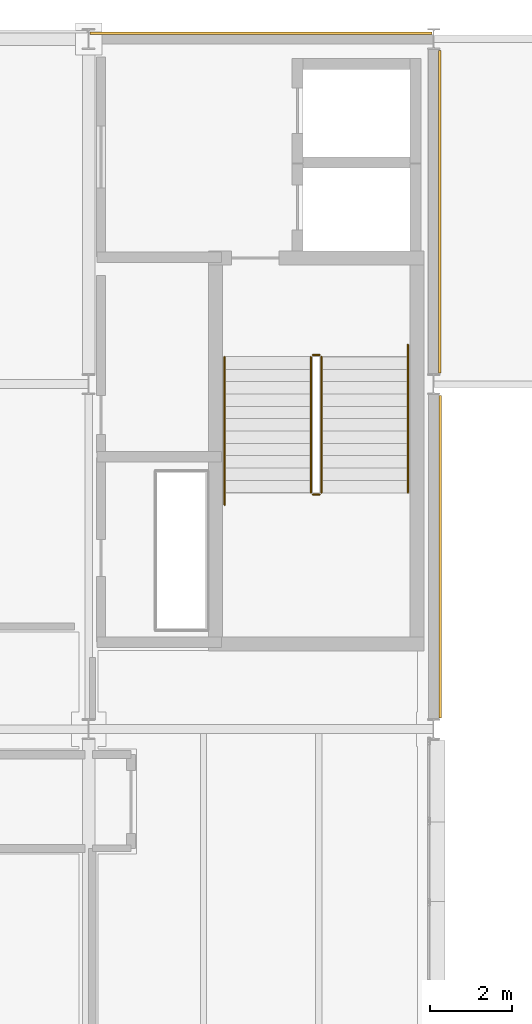
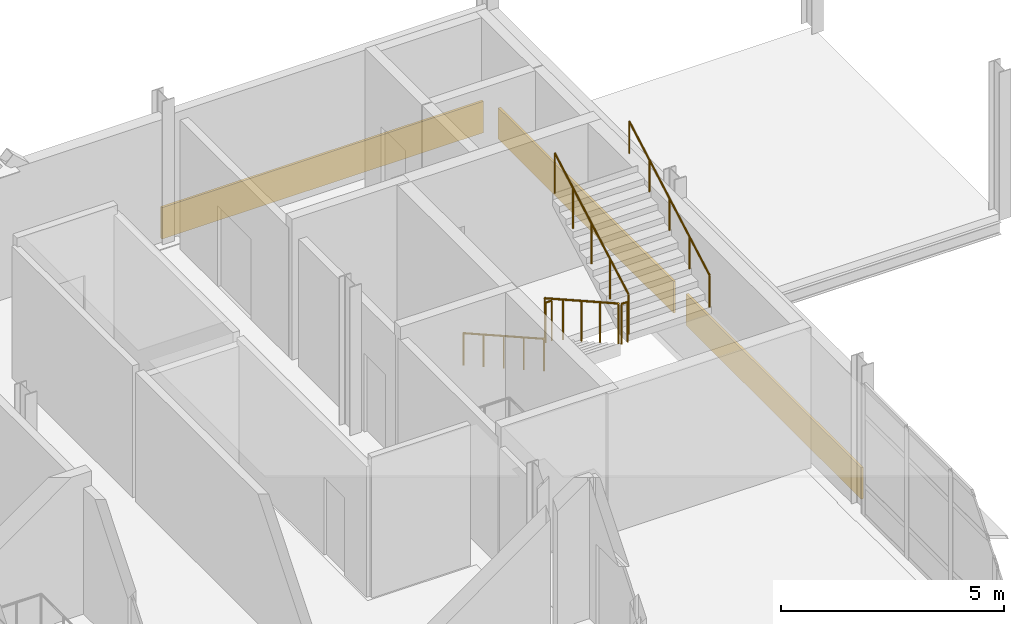
# One storey, part 131 of 131: 6 railings, 3 coverings.
"""IFC4 building model written with IfcOpenShell, lengths in metres."""

from ifc_helpers import new_model, si_unit, direction, frame, origin, origin_2d, place, context, subcontext, project, spatial, rectangle, circle, extrude, material, layer, layer_set, type_object, element, save


model = new_model("IFC4")

# Units and contexts
model_context = context("Model", 3, precision=1e-05, world=origin(), true_north=direction((0.0, 1.0)))
body_context = subcontext(model_context, "Body", "Model", "MODEL_VIEW")
ifc_project = project(units=[si_unit("LENGTHUNIT", "METRE"), si_unit("AREAUNIT", "SQUARE_METRE"), si_unit("VOLUMEUNIT", "CUBIC_METRE"), si_unit("PLANEANGLEUNIT", "RADIAN"), si_unit("MASSUNIT", "GRAM", prefix="KILO")], contexts=[model_context])

# Site, building, storey
site_placement = place(None, origin())
site = spatial("IfcSite", under=ifc_project, at=site_placement, CompositionType="ELEMENT")
building_placement = place(site_placement, origin())
building = spatial("IfcBuilding", under=site, at=building_placement, Name="Mersafa Astral City Hall", CompositionType="ELEMENT")
storey_placement = place(building_placement, frame((0.0, 0.0, 13.949951171875)))
storey = spatial("IfcBuildingStorey", under=building, at=storey_placement, Name="L03", CompositionType="ELEMENT", Elevation=13.949951171875)

# Coverings
ifc_material_1 = material(Name="Cairo Mokattam buff limestone cladding", Category="masonry")
ifc_layer = layer(ifc_material_1, 0.06005859375, Name="Cairo Mokattam buff limestone cladding")
ifc_layer_set = layer_set([ifc_layer], Name="Cairo Mokattam buff limestone cladding — ENV-COV-LIMESTONE-60")
covering_type = type_object("IfcCoveringType", Name="ENV-COV-LIMESTONE-60", PredefinedType="CLADDING", material=ifc_layer_set)
for number, where, z_axis, x_axis, name in (
    (1, (176.554443359375, 113.39990234375, 0.0), (0.0, 0.0, 1.0), (0.0, 1.0, 0.0), "L03 Cairo buff limestone rainscreen cladding 235"),
    (2, (176.547119140625, 121.800048828125, 0.0), (0.0, 0.0, 1.0), (0.0, 1.0, 0.0), "L03 Cairo buff limestone rainscreen cladding 236"),
):
    element("IfcCovering", number, at=place(storey_placement, frame(where, z_axis=z_axis, x_axis=x_axis)), inside=storey, type_object=covering_type, Name=name, PredefinedType="CLADDING", context=body_context, shape_type="SweptSolid", body=[
        extrude(rectangle(XDim=7.847900390625, YDim=0.06005859375, at=origin_2d()), origin(), (0.0, 0.0, 1.0), 0.860107421875),
    ])
covering_placement = place(storey_placement, frame((172.199951171875, 126.139404296875, 0.0), z_axis=(0.0, 0.0, 1.0), x_axis=(-1.0, 0.0, 0.0)))
element("IfcCovering", 3, at=covering_placement, inside=storey, type_object=covering_type, Name="L03 Cairo buff limestone rainscreen cladding 237", PredefinedType="CLADDING", context=body_context, shape_type="SweptSolid", body=[
    extrude(rectangle(XDim=8.323974609375, YDim=0.06005859375, at=origin_2d()), origin(), (0.0, 0.0, 1.0), 0.860107421875),
])

# Railings
ifc_material_2 = material(Name="Painted architectural steel stair guard balustrade", Category="steel")
railing_type_1 = type_object("IfcRailingType", Name="GUARD-RAIL", PredefinedType="BALUSTRADE", material=ifc_material_2)
railing_1_placement = place(storey_placement, frame((173.409912109375, 118.260009765625, 0.168701171875)))
element("IfcRailing", 4, at=railing_1_placement, inside=storey, type_object=railing_type_1, Name="L03 ST2 stair guard 1", PredefinedType="BALUSTRADE", context=body_context, shape_type="SweptSolid", body=[
    extrude(circle(Radius=0.02392578125, at=origin_2d()), frame((0.0, 0.0, 1.09619140625), z_axis=(0.0, -0.871556594703, 0.490294913526), x_axis=(1.0, 0.0, 0.0)), (0.0, 0.0, 1.0), 3.786376953125),
    extrude(circle(Radius=0.02099609375, at=origin_2d()), origin(), (0.0, 0.0, 1.0), 1.072021484375),
    extrude(circle(Radius=0.02099609375, at=origin_2d()), frame((0.0, -0.824951171875, 0.464111328125)), (0.0, 0.0, 1.0), 1.072021484375),
    extrude(circle(Radius=0.02099609375, at=origin_2d()), frame((0.0, -1.64990234375, 0.92822265625)), (0.0, 0.0, 1.0), 1.072021484375),
    extrude(circle(Radius=0.02099609375, at=origin_2d()), frame((0.0, -2.47509765625, 1.392333984375)), (0.0, 0.0, 1.0), 1.072021484375),
    extrude(circle(Radius=0.02099609375, at=origin_2d()), frame((0.0, -3.300048828125, 1.8564453125)), (0.0, 0.0, 1.0), 1.072021484375),
])
railing_2_placement = place(storey_placement, frame((173.4599609375, 114.909912109375, 2.025146484375)))
element("IfcRailing", 5, at=railing_2_placement, inside=storey, type_object=railing_type_1, Name="L03 ST2 stair guard 2", PredefinedType="BALUSTRADE", context=body_context, shape_type="SweptSolid", body=[
    extrude(circle(Radius=0.02392578125, at=origin_2d()), frame((0.0, 0.0, 1.09619140625), z_axis=(1.0, 0.0, 0.0), x_axis=(0.0, 1.0, 0.0)), (0.0, 0.0, 1.0), 0.16015625),
    extrude(circle(Radius=0.02099609375, at=origin_2d()), origin(), (0.0, 0.0, 1.0), 1.072021484375),
    extrude(circle(Radius=0.02099609375, at=origin_2d()), frame((0.16015625, 0.0, 0.0)), (0.0, 0.0, 1.0), 1.072021484375),
])
railing_3_placement = place(storey_placement, frame((173.669921875, 114.9599609375, 2.19384765625)))
element("IfcRailing", 6, at=railing_3_placement, inside=storey, type_object=railing_type_1, Name="L03 ST2 stair guard 3", PredefinedType="BALUSTRADE", context=body_context, shape_type="SweptSolid", body=[
    extrude(circle(Radius=0.02392578125, at=origin_2d()), frame((0.0, 0.0, 1.09619140625), z_axis=(0.0, 0.871584147158, 0.490245932592), x_axis=(-1.0, 0.0, 0.0)), (0.0, 0.0, 1.0), 3.786376953125),
    extrude(circle(Radius=0.02099609375, at=origin_2d()), origin(), (0.0, 0.0, 1.0), 1.072021484375),
    extrude(circle(Radius=0.02099609375, at=origin_2d()), frame((0.0, 0.824951171875, 0.464111328125)), (0.0, 0.0, 1.0), 1.072021484375),
    extrude(circle(Radius=0.02099609375, at=origin_2d()), frame((0.0, 1.64990234375, 0.92822265625)), (0.0, 0.0, 1.0), 1.072021484375),
    extrude(circle(Radius=0.02099609375, at=origin_2d()), frame((0.0, 2.47509765625, 1.39208984375)), (0.0, 0.0, 1.0), 1.072021484375),
    extrude(circle(Radius=0.02099609375, at=origin_2d()), frame((0.0, 3.300048828125, 1.856201171875)), (0.0, 0.0, 1.0), 1.072021484375),
])
railing_4_placement = place(storey_placement, frame((173.4599609375, 118.31005859375, 0.0)))
element("IfcRailing", 7, at=railing_4_placement, inside=storey, type_object=railing_type_1, Name="L03 ST2 stair guard 4", PredefinedType="BALUSTRADE", context=body_context, shape_type="SweptSolid", body=[
    extrude(circle(Radius=0.02392578125, at=origin_2d()), frame((0.0, 0.0, 1.09619140625), z_axis=(1.0, 0.0, 0.0), x_axis=(0.0, 1.0, 0.0)), (0.0, 0.0, 1.0), 0.16015625),
    extrude(circle(Radius=0.02099609375, at=origin_2d()), origin(), (0.0, 0.0, 1.0), 1.072021484375),
    extrude(circle(Radius=0.02099609375, at=origin_2d()), frame((0.16015625, 0.0, 0.0)), (0.0, 0.0, 1.0), 1.072021484375),
])
ifc_material_3 = material(Name="Brushed stainless steel tubular handrail", Category="steel")
railing_type_2 = type_object("IfcRailingType", Name="HANDRAIL", PredefinedType="HANDRAIL", material=ifc_material_3)
railing_5_placement = place(storey_placement, frame((171.31005859375, 118.260009765625, 0.168701171875)))
element("IfcRailing", 8, at=railing_5_placement, inside=storey, type_object=railing_type_2, Name="L03 ST2 stair handrail 1", PredefinedType="HANDRAIL", context=body_context, shape_type="SweptSolid", body=[
    extrude(circle(Radius=0.02392578125, at=origin_2d()), frame((0.0, 0.0, 0.8759765625), z_axis=(0.0, -0.871262930089, 0.49081657129), x_axis=(1.0, 0.0, 0.0)), (0.0, 0.0, 1.0), 4.132080078125),
    extrude(circle(Radius=0.02099609375, at=origin_2d()), origin(), (0.0, 0.0, 1.0), 0.851806640625),
    extrude(circle(Radius=0.02099609375, at=origin_2d()), frame((0.0, -0.89990234375, 0.507080078125)), (0.0, 0.0, 1.0), 0.851806640625),
    extrude(circle(Radius=0.02099609375, at=origin_2d()), frame((0.0, -1.800048828125, 1.01416015625)), (0.0, 0.0, 1.0), 0.851806640625),
    extrude(circle(Radius=0.02099609375, at=origin_2d()), frame((0.0, -2.7001953125, 1.52099609375)), (0.0, 0.0, 1.0), 0.851806640625),
    extrude(circle(Radius=0.02099609375, at=origin_2d()), frame((0.0, -3.60009765625, 2.028076171875)), (0.0, 0.0, 1.0), 0.851806640625),
])
railing_6_placement = place(storey_placement, frame((175.77001953125, 114.9599609375, 2.19384765625)))
element("IfcRailing", 9, at=railing_6_placement, inside=storey, type_object=railing_type_2, Name="L03 ST2 stair handrail 2", PredefinedType="HANDRAIL", context=body_context, shape_type="SweptSolid", body=[
    extrude(circle(Radius=0.02392578125, at=origin_2d()), frame((0.0, 0.0, 0.8759765625), z_axis=(0.0, 0.871288196072, 0.4907717182), x_axis=(-1.0, 0.0, 0.0)), (0.0, 0.0, 1.0), 4.1318359375),
    extrude(circle(Radius=0.02099609375, at=origin_2d()), origin(), (0.0, 0.0, 1.0), 0.851806640625),
    extrude(circle(Radius=0.02099609375, at=origin_2d()), frame((0.0, 0.89990234375, 0.5068359375)), (0.0, 0.0, 1.0), 0.851806640625),
    extrude(circle(Radius=0.02099609375, at=origin_2d()), frame((0.0, 1.800048828125, 1.013916015625)), (0.0, 0.0, 1.0), 0.851806640625),
    extrude(circle(Radius=0.02099609375, at=origin_2d()), frame((0.0, 2.7001953125, 1.52099609375)), (0.0, 0.0, 1.0), 0.851806640625),
    extrude(circle(Radius=0.02099609375, at=origin_2d()), frame((0.0, 3.60009765625, 2.02783203125)), (0.0, 0.0, 1.0), 0.851806640625),
])

save(model, "model.ifc")
